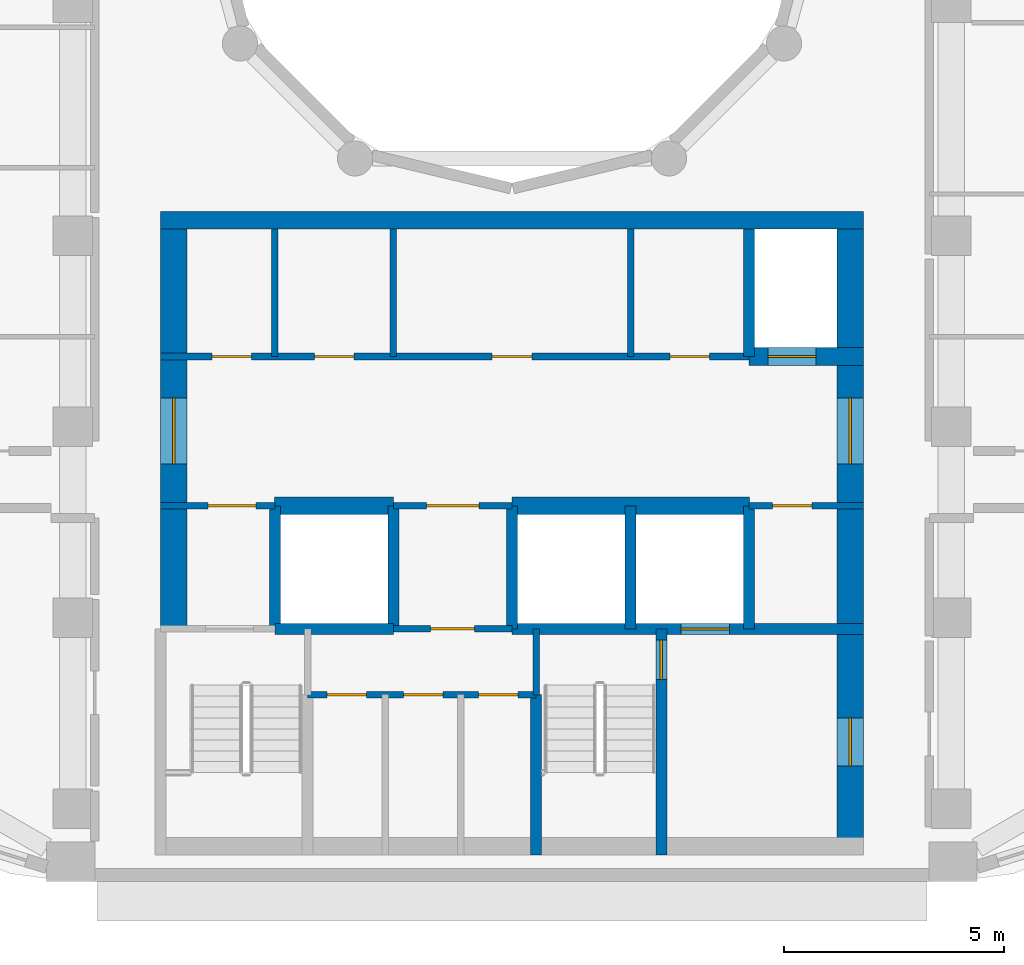
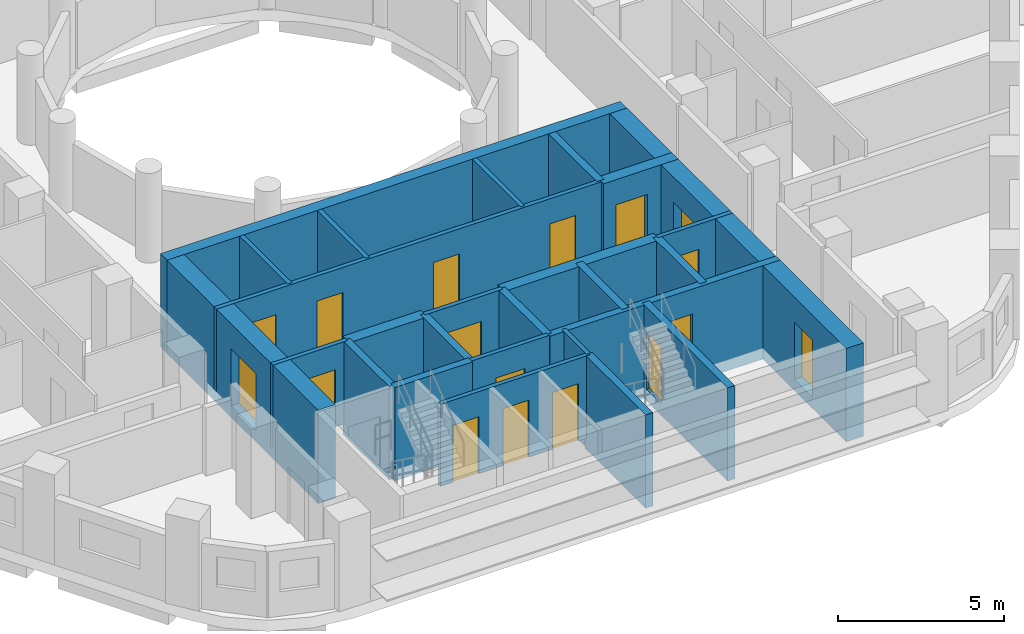
# One storey, part 3 of 16: 26 walls, 17 doors, 17 openings.
"""IFC4 building model written with IfcOpenShell, lengths in metres."""

from ifc_helpers import new_model, si_unit, direction, frame, frame_2d, origin, place, context, subcontext, project, spatial, rectangle, extrude, material, layer, layer_set, type_object, element, fill, save


model = new_model("IFC4")

# Units and contexts
model_context = context("Model", 3, precision=1e-05, world=origin(), true_north=direction((0.0, 1.0)))
body_context = subcontext(model_context, "Body", "Model", "MODEL_VIEW")
ifc_project = project(units=[si_unit("LENGTHUNIT", "METRE"), si_unit("AREAUNIT", "SQUARE_METRE"), si_unit("VOLUMEUNIT", "CUBIC_METRE"), si_unit("PLANEANGLEUNIT", "RADIAN"), si_unit("MASSUNIT", "GRAM", prefix="KILO")], contexts=[model_context])

# Site, building, storey
site_placement = place(None, origin())
site = spatial("IfcSite", under=ifc_project, at=site_placement, CompositionType="ELEMENT")
building_placement = place(site_placement, origin())
building = spatial("IfcBuilding", under=site, at=building_placement, Name="Nakaniwa Court", CompositionType="ELEMENT")
storey_placement = place(building_placement, frame((0.0, 0.0, 226.199951171875)))
storey = spatial("IfcBuildingStorey", under=building, at=storey_placement, Name="L58", CompositionType="ELEMENT", Elevation=226.199951171875)

# Wall
ifc_material_1 = material(Name="Blockwork partition", Category="masonry")
ifc_layer_1 = layer(ifc_material_1, 0.14990234375)
ifc_layer_set_1 = layer_set([ifc_layer_1], Name="Blockwork partition")
wall_type_1 = type_object("IfcWallType", Name="Blockwork partition 150", PredefinedType="PARTITIONING", material=ifc_layer_set_1)
wall_1_placement = place(storey_placement, frame((74.60009765625, 69.300048828125, 0.0), z_axis=(0.0, 0.0, 1.0), x_axis=(0.0, 1.0, 0.0)))
element("IfcWall", 1, at=wall_1_placement, inside=storey, type_object=wall_type_1, Name="Partition PW-032", PredefinedType="PARTITIONING", context=body_context, shape_type="SweptSolid", body=[
    extrude(rectangle(XDim=2.89990234375, YDim=0.14990234375, at=frame_2d((1.449951171875, 0.0))), origin(), (0.0, 0.0, 1.0), 3.025146484375),
])

# Wall, openings, doors
wall_2_placement = place(storey_placement, frame((72.0, 69.300048828125, 0.0), z_axis=(0.0, 0.0, 1.0), x_axis=(1.0, 0.0, 0.0)))
wall_2 = element("IfcWall", 2, at=wall_2_placement, inside=storey, type_object=wall_type_1, Name="Partition PW-033", PredefinedType="PARTITIONING", context=body_context, shape_type="SweptSolid", body=[
    extrude(rectangle(XDim=13.39990234375, YDim=0.14990234375, at=frame_2d((6.699951171875, 0.0))), origin(), (0.0, 0.0, 1.0), 3.025146484375),
])
opening_1_placement = place(wall_2_placement, frame((1.175048828125, 0.0, 0.0)))
opening_1 = element("IfcOpeningElement", 3, at=opening_1_placement, cuts=wall_2, Name="Opening D-05-09", PredefinedType="OPENING", context=body_context, shape_type="SweptSolid", body=[
    extrude(rectangle(XDim=0.89990234375, YDim=2.10009765625, at=frame_2d((0.449951171875, 1.050048828125))), frame((0.0, 0.0849609375, 0.0), z_axis=(0.0, -1.0, 0.0), x_axis=(1.0, 0.0, 0.0)), (0.0, 0.0, 1.0), 0.169921875),
])
opening_2_placement = place(wall_2_placement, frame((3.5, 0.0, 0.0)))
opening_2 = element("IfcOpeningElement", 4, at=opening_2_placement, cuts=wall_2, Name="Opening D-05-10", PredefinedType="OPENING", context=body_context, shape_type="SweptSolid", body=[
    extrude(rectangle(XDim=0.89990234375, YDim=2.10009765625, at=frame_2d((0.449951171875, 1.050048828125))), frame((0.0, 0.0849609375, 0.0), z_axis=(0.0, -1.0, 0.0), x_axis=(1.0, 0.0, 0.0)), (0.0, 0.0, 1.0), 0.169921875),
])
opening_3_placement = place(wall_2_placement, frame((7.550048828125, 0.0, 0.0)))
opening_3 = element("IfcOpeningElement", 5, at=opening_3_placement, cuts=wall_2, Name="Opening D-05-11", PredefinedType="OPENING", context=body_context, shape_type="SweptSolid", body=[
    extrude(rectangle(XDim=0.89990234375, YDim=2.10009765625, at=frame_2d((0.449951171875, 1.050048828125))), frame((0.0, 0.0849609375, 0.0), z_axis=(0.0, -1.0, 0.0), x_axis=(1.0, 0.0, 0.0)), (0.0, 0.0, 1.0), 0.169921875),
])
opening_4_placement = place(wall_2_placement, frame((11.60009765625, 0.0, 0.0)))
opening_4 = element("IfcOpeningElement", 6, at=opening_4_placement, cuts=wall_2, Name="Opening D-05-12", PredefinedType="OPENING", context=body_context, shape_type="SweptSolid", body=[
    extrude(rectangle(XDim=0.89990234375, YDim=2.10009765625, at=frame_2d((0.449951171875, 1.050048828125))), frame((0.0, 0.0849609375, 0.0), z_axis=(0.0, -1.0, 0.0), x_axis=(1.0, 0.0, 0.0)), (0.0, 0.0, 1.0), 0.169921875),
])
ifc_material_2 = material(Name="Fire rated steel door set", Category="steel")
door_type_1 = type_object("IfcDoorType", Name="Service room door 900", OperationType="NOTDEFINED", PredefinedType="DOOR", material=ifc_material_2)
door_1_placement = place(opening_1_placement, origin())
door_1 = element("IfcDoor", 7, at=door_1_placement, inside=storey, type_object=door_type_1, Name="Door D-05-09 L58-014", OperationType="SINGLE_SWING_LEFT", OverallHeight=2.10009765625, OverallWidth=0.89990234375, PredefinedType="DOOR", context=body_context, shape_type="SweptSolid", body=[
    extrude(rectangle(XDim=0.89990234375, YDim=2.10009765625, at=frame_2d((0.449951171875, 1.050048828125))), frame((0.0, 0.02490234375, 0.0), z_axis=(0.0, -1.0, 0.0), x_axis=(1.0, 0.0, 0.0)), (0.0, 0.0, 1.0), 0.050048828125),
])
fill(opening_1, door_1)
door_2_placement = place(opening_2_placement, origin())
door_2 = element("IfcDoor", 8, at=door_2_placement, inside=storey, type_object=door_type_1, Name="Door D-05-10 L58-015", OperationType="SINGLE_SWING_RIGHT", OverallHeight=2.10009765625, OverallWidth=0.89990234375, PredefinedType="DOOR", context=body_context, shape_type="SweptSolid", body=[
    extrude(rectangle(XDim=0.89990234375, YDim=2.10009765625, at=frame_2d((0.449951171875, 1.050048828125))), frame((0.0, 0.02490234375, 0.0), z_axis=(0.0, -1.0, 0.0), x_axis=(1.0, 0.0, 0.0)), (0.0, 0.0, 1.0), 0.050048828125),
])
fill(opening_2, door_2)
door_3_placement = place(opening_3_placement, origin())
door_3 = element("IfcDoor", 9, at=door_3_placement, inside=storey, type_object=door_type_1, Name="Door D-05-11 L58-016", OperationType="SINGLE_SWING_LEFT", OverallHeight=2.10009765625, OverallWidth=0.89990234375, PredefinedType="DOOR", context=body_context, shape_type="SweptSolid", body=[
    extrude(rectangle(XDim=0.89990234375, YDim=2.10009765625, at=frame_2d((0.449951171875, 1.050048828125))), frame((0.0, 0.02490234375, 0.0), z_axis=(0.0, -1.0, 0.0), x_axis=(1.0, 0.0, 0.0)), (0.0, 0.0, 1.0), 0.050048828125),
])
fill(opening_3, door_3)
door_4_placement = place(opening_4_placement, origin())
door_4 = element("IfcDoor", 10, at=door_4_placement, inside=storey, type_object=door_type_1, Name="Door D-05-12 L58-017", OperationType="SINGLE_SWING_RIGHT", OverallHeight=2.10009765625, OverallWidth=0.89990234375, PredefinedType="DOOR", context=body_context, shape_type="SweptSolid", body=[
    extrude(rectangle(XDim=0.89990234375, YDim=2.10009765625, at=frame_2d((0.449951171875, 1.050048828125))), frame((0.0, 0.02490234375, 0.0), z_axis=(0.0, -1.0, 0.0), x_axis=(1.0, 0.0, 0.0)), (0.0, 0.0, 1.0), 0.050048828125),
])
fill(opening_4, door_4)

# Walls
for number, where, z_axis, x_axis, name in (
    (11, (77.300048828125, 69.300048828125, 0.0), (0.0, 0.0, 1.0), (0.0, 1.0, 0.0), "Partition PW-039"),
    (12, (82.699951171875, 69.300048828125, 0.0), (0.0, 0.0, 1.0), (0.0, 1.0, 0.0), "Partition PW-040"),
):
    element("IfcWall", number, at=place(storey_placement, frame(where, z_axis=z_axis, x_axis=x_axis)), inside=storey, type_object=wall_type_1, Name=name, PredefinedType="PARTITIONING", context=body_context, shape_type="SweptSolid", body=[
        extrude(rectangle(XDim=2.89990234375, YDim=0.14990234375, at=frame_2d((1.449951171875, 0.0))), origin(), (0.0, 0.0, 1.0), 3.025146484375),
    ])

# Wall, opening, door
wall_3_placement = place(storey_placement, frame((74.60302734375, 65.89990234375, 0.0), z_axis=(0.0, 0.0, 1.0), x_axis=(-1.0, 0.0, 0.0)))
wall_3 = element("IfcWall", 13, at=wall_3_placement, inside=storey, type_object=wall_type_1, Name="Partition PW-041", PredefinedType="PARTITIONING", context=body_context, shape_type="SweptSolid", body=[
    extrude(rectangle(XDim=2.60302734375, YDim=0.14990234375, at=frame_2d((1.301513671875, 0.0))), origin(), (0.0, 0.0, 1.0), 3.025146484375),
])
opening_5_placement = place(wall_3_placement, frame((0.427978515625, 0.0, 0.0)))
opening_5 = element("IfcOpeningElement", 14, at=opening_5_placement, cuts=wall_3, Name="Opening D-08-02", PredefinedType="OPENING", context=body_context, shape_type="SweptSolid", body=[
    extrude(rectangle(XDim=1.10009765625, YDim=2.10009765625, at=frame_2d((0.550048828125, 1.050048828125))), frame((0.0, 0.0849609375, 0.0), z_axis=(0.0, -1.0, 0.0), x_axis=(1.0, 0.0, 0.0)), (0.0, 0.0, 1.0), 0.169921875),
])
door_type_2 = type_object("IfcDoorType", Name="Stair lobby door 1100", OperationType="NOTDEFINED", PredefinedType="DOOR", material=ifc_material_2)
door_5_placement = place(opening_5_placement, origin())
door_5 = element("IfcDoor", 15, at=door_5_placement, inside=storey, type_object=door_type_2, Name="Door D-08-02 L58-018", OperationType="SINGLE_SWING_LEFT", OverallHeight=2.10009765625, OverallWidth=1.10009765625, PredefinedType="DOOR", context=body_context, shape_type="SweptSolid", body=[
    extrude(rectangle(XDim=1.10009765625, YDim=2.10009765625, at=frame_2d((0.550048828125, 1.050048828125))), frame((0.0, 0.02490234375, 0.0), z_axis=(0.0, -1.0, 0.0), x_axis=(1.0, 0.0, 0.0)), (0.0, 0.0, 1.0), 0.050048828125),
])
fill(opening_5, door_5)

wall_4_placement = place(storey_placement, frame((80.0029296875, 65.89990234375, 0.0), z_axis=(0.0, 0.0, 1.0), x_axis=(-1.0, 0.0, 0.0)))
wall_4 = element("IfcWall", 16, at=wall_4_placement, inside=storey, type_object=wall_type_1, Name="Partition PW-042", PredefinedType="PARTITIONING", context=body_context, shape_type="SweptSolid", body=[
    extrude(rectangle(XDim=2.705810546875, YDim=0.14990234375, at=frame_2d((1.35302734375, 0.0))), origin(), (0.0, 0.0, 1.0), 3.025146484375),
])
opening_6_placement = place(wall_4_placement, frame((0.7529296875, 0.0, 0.0)))
opening_6 = element("IfcOpeningElement", 17, at=opening_6_placement, cuts=wall_4, Name="Opening D-06-02", PredefinedType="OPENING", context=body_context, shape_type="SweptSolid", body=[
    extrude(rectangle(XDim=1.199951171875, YDim=2.10009765625, at=frame_2d((0.60009765625, 1.050048828125))), frame((0.0, 0.0849609375, 0.0), z_axis=(0.0, -1.0, 0.0), x_axis=(1.0, 0.0, 0.0)), (0.0, 0.0, 1.0), 0.169921875),
])
ifc_material_3 = material(Name="Fire rated steel double door set", Category="steel")
door_type_3 = type_object("IfcDoorType", Name="Service passage double door 1200", OperationType="NOTDEFINED", PredefinedType="DOOR", material=ifc_material_3)
door_6_placement = place(opening_6_placement, origin())
door_6 = element("IfcDoor", 18, at=door_6_placement, inside=storey, type_object=door_type_3, Name="Door D-06-02 L58-019", OperationType="DOUBLE_DOOR_SINGLE_SWING", OverallHeight=2.10009765625, OverallWidth=1.199951171875, PredefinedType="DOOR", context=body_context, shape_type="SweptSolid", body=[
    extrude(rectangle(XDim=1.199951171875, YDim=2.10009765625, at=frame_2d((0.60009765625, 1.050048828125))), frame((0.0, 0.02490234375, 0.0), z_axis=(0.0, -1.0, 0.0), x_axis=(1.0, 0.0, 0.0)), (0.0, 0.0, 1.0), 0.050048828125),
])
fill(opening_6, door_6)

wall_5_placement = place(storey_placement, frame((88.0, 65.89990234375, 0.0), z_axis=(0.0, 0.0, 1.0), x_axis=(-1.0, 0.0, 0.0)))
wall_5 = element("IfcWall", 19, at=wall_5_placement, inside=storey, type_object=wall_type_1, Name="Partition PW-043", PredefinedType="PARTITIONING", context=body_context, shape_type="SweptSolid", body=[
    extrude(rectangle(XDim=2.60302734375, YDim=0.14990234375, at=frame_2d((1.301513671875, 0.0))), origin(), (0.0, 0.0, 1.0), 3.025146484375),
])
opening_7_placement = place(wall_5_placement, frame((1.175048828125, 0.0, 0.0)))
opening_7 = element("IfcOpeningElement", 20, at=opening_7_placement, cuts=wall_5, Name="Opening D-05-13", PredefinedType="OPENING", context=body_context, shape_type="SweptSolid", body=[
    extrude(rectangle(XDim=0.89990234375, YDim=2.10009765625, at=frame_2d((0.449951171875, 1.050048828125))), frame((0.0, 0.0849609375, 0.0), z_axis=(0.0, -1.0, 0.0), x_axis=(1.0, 0.0, 0.0)), (0.0, 0.0, 1.0), 0.169921875),
])
door_7_placement = place(opening_7_placement, origin())
door_7 = element("IfcDoor", 21, at=door_7_placement, inside=storey, type_object=door_type_1, Name="Door D-05-13 L58-020", OperationType="SINGLE_SWING_LEFT", OverallHeight=2.10009765625, OverallWidth=0.89990234375, PredefinedType="DOOR", context=body_context, shape_type="SweptSolid", body=[
    extrude(rectangle(XDim=0.89990234375, YDim=2.10009765625, at=frame_2d((0.449951171875, 1.050048828125))), frame((0.0, 0.02490234375, 0.0), z_axis=(0.0, -1.0, 0.0), x_axis=(1.0, 0.0, 0.0)), (0.0, 0.0, 1.0), 0.050048828125),
])
fill(opening_7, door_7)

wall_6_placement = place(storey_placement, frame((80.0, 63.10009765625, 0.0), z_axis=(0.0, 0.0, 1.0), x_axis=(-1.0, 0.0, 0.0)))
wall_6 = element("IfcWall", 22, at=wall_6_placement, inside=storey, type_object=wall_type_1, Name="Partition PW-052", PredefinedType="PARTITIONING", context=body_context, shape_type="SweptSolid", body=[
    extrude(rectangle(XDim=2.699951171875, YDim=0.14990234375, at=frame_2d((1.35009765625, 0.0))), origin(), (0.0, 0.0, 1.0), 3.025146484375),
])
opening_8_placement = place(wall_6_placement, frame((0.85009765625, 0.0, 0.0)))
opening_8 = element("IfcOpeningElement", 23, at=opening_8_placement, cuts=wall_6, Name="Opening D-23-02", PredefinedType="OPENING", context=body_context, shape_type="SweptSolid", body=[
    extrude(rectangle(XDim=1.0, YDim=2.10009765625, at=frame_2d((0.5, 1.050048828125))), frame((0.0, 0.0849609375, 0.0), z_axis=(0.0, -1.0, 0.0), x_axis=(1.0, 0.0, 0.0)), (0.0, 0.0, 1.0), 0.169921875),
])
door_type_4 = type_object("IfcDoorType", Name="Service room door 1000", OperationType="NOTDEFINED", PredefinedType="DOOR", material=ifc_material_2)
door_8_placement = place(opening_8_placement, origin())
door_8 = element("IfcDoor", 24, at=door_8_placement, inside=storey, type_object=door_type_4, Name="Door D-23-02 L58-021", OperationType="SINGLE_SWING_RIGHT", OverallHeight=2.10009765625, OverallWidth=1.0, PredefinedType="DOOR", context=body_context, shape_type="SweptSolid", body=[
    extrude(rectangle(XDim=1.0, YDim=2.10009765625, at=frame_2d((0.5, 1.050048828125))), frame((0.0, 0.02490234375, 0.0), z_axis=(0.0, -1.0, 0.0), x_axis=(1.0, 0.0, 0.0)), (0.0, 0.0, 1.0), 0.050048828125),
])
fill(opening_8, door_8)

# Wall, openings, doors
wall_7_placement = place(storey_placement, frame((80.550048828125, 61.60009765625, 0.0), z_axis=(0.0, 0.0, 1.0), x_axis=(-1.0, 0.0, 0.0)))
wall_7 = element("IfcWall", 25, at=wall_7_placement, inside=storey, type_object=wall_type_1, Name="Partition PW-060", PredefinedType="PARTITIONING", context=body_context, shape_type="SweptSolid", body=[
    extrude(rectangle(XDim=5.199951171875, YDim=0.14990234375, at=frame_2d((2.60009765625, 0.0))), origin(), (0.0, 0.0, 1.0), 3.025146484375),
])
opening_9_placement = place(wall_7_placement, frame((3.865966796875, 0.0, 0.0)))
opening_9 = element("IfcOpeningElement", 26, at=opening_9_placement, cuts=wall_7, Name="Opening D-05-14", PredefinedType="OPENING", context=body_context, shape_type="SweptSolid", body=[
    extrude(rectangle(XDim=0.89990234375, YDim=2.10009765625, at=frame_2d((0.449951171875, 1.050048828125))), frame((0.0, 0.0849609375, 0.0), z_axis=(0.0, -1.0, 0.0), x_axis=(1.0, 0.0, 0.0)), (0.0, 0.0, 1.0), 0.169921875),
])
opening_10_placement = place(wall_7_placement, frame((2.1240234375, 0.0, 0.0)))
opening_10 = element("IfcOpeningElement", 27, at=opening_10_placement, cuts=wall_7, Name="Opening D-05-15", PredefinedType="OPENING", context=body_context, shape_type="SweptSolid", body=[
    extrude(rectangle(XDim=0.89990234375, YDim=2.10009765625, at=frame_2d((0.449951171875, 1.050048828125))), frame((0.0, 0.0849609375, 0.0), z_axis=(0.0, -1.0, 0.0), x_axis=(1.0, 0.0, 0.0)), (0.0, 0.0, 1.0), 0.169921875),
])
opening_11_placement = place(wall_7_placement, frame((0.407958984375, 0.0, 0.0)))
opening_11 = element("IfcOpeningElement", 28, at=opening_11_placement, cuts=wall_7, Name="Opening D-05-16", PredefinedType="OPENING", context=body_context, shape_type="SweptSolid", body=[
    extrude(rectangle(XDim=0.89990234375, YDim=2.10009765625, at=frame_2d((0.449951171875, 1.050048828125))), frame((0.0, 0.0849609375, 0.0), z_axis=(0.0, -1.0, 0.0), x_axis=(1.0, 0.0, 0.0)), (0.0, 0.0, 1.0), 0.169921875),
])
door_9_placement = place(opening_9_placement, origin())
door_9 = element("IfcDoor", 29, at=door_9_placement, inside=storey, type_object=door_type_1, Name="Door D-05-14 L58-022", OperationType="SINGLE_SWING_LEFT", OverallHeight=2.10009765625, OverallWidth=0.89990234375, PredefinedType="DOOR", context=body_context, shape_type="SweptSolid", body=[
    extrude(rectangle(XDim=0.89990234375, YDim=2.10009765625, at=frame_2d((0.449951171875, 1.050048828125))), frame((0.0, 0.02490234375, 0.0), z_axis=(0.0, -1.0, 0.0), x_axis=(1.0, 0.0, 0.0)), (0.0, 0.0, 1.0), 0.050048828125),
])
fill(opening_9, door_9)
door_10_placement = place(opening_10_placement, origin())
door_10 = element("IfcDoor", 30, at=door_10_placement, inside=storey, type_object=door_type_1, Name="Door D-05-15 L58-023", OperationType="SINGLE_SWING_RIGHT", OverallHeight=2.10009765625, OverallWidth=0.89990234375, PredefinedType="DOOR", context=body_context, shape_type="SweptSolid", body=[
    extrude(rectangle(XDim=0.89990234375, YDim=2.10009765625, at=frame_2d((0.449951171875, 1.050048828125))), frame((0.0, 0.02490234375, 0.0), z_axis=(0.0, -1.0, 0.0), x_axis=(1.0, 0.0, 0.0)), (0.0, 0.0, 1.0), 0.050048828125),
])
fill(opening_10, door_10)
door_11_placement = place(opening_11_placement, origin())
door_11 = element("IfcDoor", 31, at=door_11_placement, inside=storey, type_object=door_type_1, Name="Door D-05-16 L58-024", OperationType="SINGLE_SWING_LEFT", OverallHeight=2.10009765625, OverallWidth=0.89990234375, PredefinedType="DOOR", context=body_context, shape_type="SweptSolid", body=[
    extrude(rectangle(XDim=0.89990234375, YDim=2.10009765625, at=frame_2d((0.449951171875, 1.050048828125))), frame((0.0, 0.02490234375, 0.0), z_axis=(0.0, -1.0, 0.0), x_axis=(1.0, 0.0, 0.0)), (0.0, 0.0, 1.0), 0.050048828125),
])
fill(opening_11, door_11)

# Wall, opening, door
ifc_material_4 = material(Name="Concrete C80/100", Category="concrete")
ifc_layer_2 = layer(ifc_material_4, 0.60009765625)
ifc_layer_set_2 = layer_set([ifc_layer_2], Name="Concrete C80/100")
wall_type_2 = type_object("IfcWallType", Name="Concrete core side wall 600 C80", PredefinedType="SHEAR", material=ifc_layer_set_2)
wall_8_placement = place(storey_placement, frame((72.300048828125, 63.10009765625, -0.409912109375), z_axis=(0.0, 0.0, 1.0), x_axis=(0.0, 1.0, 0.0)))
wall_8 = element("IfcWall", 32, at=wall_8_placement, inside=storey, type_object=wall_type_2, Name="Core wall SW-34", PredefinedType="SHEAR", context=body_context, shape_type="SweptSolid", body=[
    extrude(rectangle(XDim=9.099853515625, YDim=0.60009765625, at=frame_2d((4.5498046875, 0.0))), origin(), (0.0, 0.0, 1.0), 3.43505859375),
])
opening_12_placement = place(wall_8_placement, frame((3.75, 0.0, 0.409912109375)))
opening_12 = element("IfcOpeningElement", 33, at=opening_12_placement, cuts=wall_8, Name="Opening D-07-04", PredefinedType="OPENING", context=body_context, shape_type="SweptSolid", body=[
    extrude(rectangle(XDim=1.5, YDim=2.10009765625, at=frame_2d((0.75, 1.050048828125))), frame((0.0, 0.31005859375, 0.0), z_axis=(0.0, -1.0, 0.0), x_axis=(1.0, 0.0, 0.0)), (0.0, 0.0, 1.0), 0.6201171875),
])
ifc_material_5 = material(Name="Glazed fire rated steel double door set", Category="steel")
door_type_5 = type_object("IfcDoorType", Name="Lobby double door 1500", OperationType="NOTDEFINED", PredefinedType="DOOR", material=ifc_material_5)
door_12_placement = place(opening_12_placement, origin())
door_12 = element("IfcDoor", 34, at=door_12_placement, inside=storey, type_object=door_type_5, Name="Door D-07-04 L58-064", OperationType="DOUBLE_DOOR_SINGLE_SWING", OverallHeight=2.10009765625, OverallWidth=1.5, PredefinedType="DOOR", context=body_context, shape_type="SweptSolid", body=[
    extrude(rectangle(XDim=1.5, YDim=2.10009765625, at=frame_2d((0.75, 1.050048828125))), frame((0.0, 0.02490234375, 0.0), z_axis=(0.0, -1.0, 0.0), x_axis=(1.0, 0.0, 0.0)), (0.0, 0.0, 1.0), 0.050048828125),
])
fill(opening_12, door_12)

# Wall, openings, doors
wall_9_placement = place(storey_placement, frame((87.699951171875, 72.199951171875, -0.409912109375), z_axis=(0.0, 0.0, 1.0), x_axis=(0.0, -1.0, 0.0)))
wall_9 = element("IfcWall", 35, at=wall_9_placement, inside=storey, type_object=wall_type_2, Name="Core wall SW-38", PredefinedType="SHEAR", context=body_context, shape_type="SweptSolid", body=[
    extrude(rectangle(XDim=14.25, YDim=0.60009765625, at=frame_2d((7.125, 0.0))), origin(), (0.0, 0.0, 1.0), 3.43505859375),
])
opening_13_placement = place(wall_9_placement, frame((3.85009765625, 0.0, 0.409912109375)))
opening_13 = element("IfcOpeningElement", 36, at=opening_13_placement, cuts=wall_9, Name="Opening D-07-03", PredefinedType="OPENING", context=body_context, shape_type="SweptSolid", body=[
    extrude(rectangle(XDim=1.5, YDim=2.10009765625, at=frame_2d((0.75, 1.050048828125))), frame((0.0, 0.31005859375, 0.0), z_axis=(0.0, -1.0, 0.0), x_axis=(1.0, 0.0, 0.0)), (0.0, 0.0, 1.0), 0.6201171875),
])
opening_14_placement = place(wall_9_placement, frame((11.125, 0.0, 0.409912109375)))
opening_14 = element("IfcOpeningElement", 37, at=opening_14_placement, cuts=wall_9, Name="Opening D-10-02", PredefinedType="OPENING", context=body_context, shape_type="SweptSolid", body=[
    extrude(rectangle(XDim=1.10009765625, YDim=2.10009765625, at=frame_2d((0.550048828125, 1.050048828125))), frame((0.0, 0.31005859375, 0.0), z_axis=(0.0, -1.0, 0.0), x_axis=(1.0, 0.0, 0.0)), (0.0, 0.0, 1.0), 0.6201171875),
])
door_type_6 = type_object("IfcDoorType", Name="Firefighting lobby door 1100", OperationType="NOTDEFINED", PredefinedType="DOOR", material=ifc_material_2)
door_13_placement = place(opening_14_placement, origin())
door_13 = element("IfcDoor", 38, at=door_13_placement, inside=storey, type_object=door_type_6, Name="Door D-10-02 L58-065", OperationType="SINGLE_SWING_RIGHT", OverallHeight=2.10009765625, OverallWidth=1.10009765625, PredefinedType="DOOR", context=body_context, shape_type="SweptSolid", body=[
    extrude(rectangle(XDim=1.10009765625, YDim=2.10009765625, at=frame_2d((0.550048828125, 1.050048828125))), frame((0.0, 0.02490234375, 0.0), z_axis=(0.0, -1.0, 0.0), x_axis=(1.0, 0.0, 0.0)), (0.0, 0.0, 1.0), 0.050048828125),
])
fill(opening_14, door_13)
door_14_placement = place(opening_13_placement, origin())
door_14 = element("IfcDoor", 39, at=door_14_placement, inside=storey, type_object=door_type_5, Name="Door D-07-03 L58-063", OperationType="DOUBLE_DOOR_SINGLE_SWING", OverallHeight=2.10009765625, OverallWidth=1.5, PredefinedType="DOOR", context=body_context, shape_type="SweptSolid", body=[
    extrude(rectangle(XDim=1.5, YDim=2.10009765625, at=frame_2d((0.75, 1.050048828125))), frame((0.0, 0.02490234375, 0.0), z_axis=(0.0, -1.0, 0.0), x_axis=(1.0, 0.0, 0.0)), (0.0, 0.0, 1.0), 0.050048828125),
])
fill(opening_13, door_14)

# Wall, opening, door
ifc_layer_3 = layer(ifc_material_4, 0.39990234375)
ifc_layer_set_3 = layer_set([ifc_layer_3], Name="Concrete C80/100")
wall_type_3 = type_object("IfcWallType", Name="Concrete core spine wall 400 C80", PredefinedType="SHEAR", material=ifc_layer_set_3)
wall_10_placement = place(storey_placement, frame((85.39990234375, 69.300048828125, -0.409912109375), z_axis=(0.0, 0.0, 1.0), x_axis=(1.0, 0.0, 0.0)))
wall_10 = element("IfcWall", 40, at=wall_10_placement, inside=storey, type_object=wall_type_3, Name="Core wall SW-37", PredefinedType="SHEAR", context=body_context, shape_type="SweptSolid", body=[
    extrude(rectangle(XDim=2.60009765625, YDim=0.39990234375, at=frame_2d((1.300048828125, 0.0))), origin(), (0.0, 0.0, 1.0), 3.43505859375),
])
opening_15_placement = place(wall_10_placement, frame((0.425048828125, 0.0, 0.409912109375)))
opening_15 = element("IfcOpeningElement", 41, at=opening_15_placement, cuts=wall_10, Name="Opening LD03", PredefinedType="OPENING", context=body_context, shape_type="SweptSolid", body=[
    extrude(rectangle(XDim=1.10009765625, YDim=2.10009765625, at=frame_2d((0.550048828125, 1.050048828125))), frame((0.0, 0.2099609375, 0.0), z_axis=(0.0, -1.0, 0.0), x_axis=(1.0, 0.0, 0.0)), (0.0, 0.0, 1.0), 0.419921875),
])
ifc_material_6 = material(Name="Stainless steel sliding lift landing door", Category="steel")
door_type_7 = type_object("IfcDoorType", Name="Lift landing door 1100", OperationType="NOTDEFINED", PredefinedType="DOOR", material=ifc_material_6)
door_15_placement = place(opening_15_placement, origin())
door_15 = element("IfcDoor", 42, at=door_15_placement, inside=storey, type_object=door_type_7, Name="Lift landing door LD03 L58-003", OperationType="SLIDING_TO_LEFT", OverallHeight=2.10009765625, OverallWidth=1.10009765625, PredefinedType="DOOR", context=body_context, shape_type="SweptSolid", body=[
    extrude(rectangle(XDim=1.10009765625, YDim=2.10009765625, at=frame_2d((0.550048828125, 1.050048828125))), frame((0.0, 0.02490234375, 0.0), z_axis=(0.0, -1.0, 0.0), x_axis=(1.0, 0.0, 0.0)), (0.0, 0.0, 1.0), 0.050048828125),
])
fill(opening_15, door_15)

# Walls
wall_11_placement = place(storey_placement, frame((74.596923828125, 65.89990234375, -0.409912109375), z_axis=(0.0, 0.0, 1.0), x_axis=(1.0, 0.0, 0.0)))
element("IfcWall", 43, at=wall_11_placement, inside=storey, type_object=wall_type_3, Name="Core wall SW-44", PredefinedType="SHEAR", context=body_context, shape_type="SweptSolid", body=[
    extrude(rectangle(XDim=2.7060546875, YDim=0.39990234375, at=frame_2d((1.35302734375, 0.0))), origin(), (0.0, 0.0, 1.0), 3.43505859375),
])
wall_12_placement = place(storey_placement, frame((79.9970703125, 65.89990234375, -0.409912109375), z_axis=(0.0, 0.0, 1.0), x_axis=(1.0, 0.0, 0.0)))
element("IfcWall", 44, at=wall_12_placement, inside=storey, type_object=wall_type_3, Name="Core wall SW-45", PredefinedType="SHEAR", context=body_context, shape_type="SweptSolid", body=[
    extrude(rectangle(XDim=5.406005859375, YDim=0.39990234375, at=frame_2d((2.703125, 0.0))), origin(), (0.0, 0.0, 1.0), 3.43505859375),
])
ifc_layer_4 = layer(ifc_material_4, 0.14990234375)
ifc_layer_set_4 = layer_set([ifc_layer_4], Name="Concrete C80/100")
wall_type_4 = type_object("IfcWallType", Name="Concrete core wall 150 C80", PredefinedType="SHEAR", material=ifc_layer_set_4)
wall_13_placement = place(storey_placement, frame((80.550048828125, 61.596923828125, -0.409912109375), z_axis=(0.0, 0.0, 1.0), x_axis=(0.0, 1.0, 0.0)))
element("IfcWall", 45, at=wall_13_placement, inside=storey, type_object=wall_type_4, Name="Core wall SW-58", PredefinedType="SHEAR", context=body_context, shape_type="SweptSolid", body=[
    extrude(rectangle(XDim=1.503173828125, YDim=0.14990234375, at=frame_2d((0.75146484375, 0.0))), origin(), (0.0, 0.0, 1.0), 3.43505859375),
])
ifc_layer_5 = layer(ifc_material_4, 0.39990234375)
ifc_layer_set_5 = layer_set([ifc_layer_5], Name="Concrete C80/100")
wall_type_5 = type_object("IfcWallType", Name="Concrete core well wall 400 C80", PredefinedType="SHEAR", material=ifc_layer_set_5)
wall_14_placement = place(storey_placement, frame((72.00390625, 72.39990234375, -0.409912109375), z_axis=(0.0, 0.0, 1.0), x_axis=(1.0, 0.0, 0.0)))
element("IfcWall", 46, at=wall_14_placement, inside=storey, type_object=wall_type_5, Name="Core wall SW-130", PredefinedType="SHEAR", context=body_context, shape_type="SweptSolid", body=[
    extrude(rectangle(XDim=15.9921875, YDim=0.39990234375, at=frame_2d((7.99609375, 0.0))), origin(), (0.0, 0.0, 1.0), 3.43505859375),
])
ifc_layer_6 = layer(ifc_material_4, 0.25)
ifc_layer_set_6 = layer_set([ifc_layer_6], Name="Concrete C80/100")
wall_type_6 = type_object("IfcWallType", Name="Concrete shaft wall 250 C80", PredefinedType="SHEAR", material=ifc_layer_set_6)
wall_15_placement = place(storey_placement, frame((85.39990234375, 63.10009765625, -0.409912109375), z_axis=(0.0, 0.0, 1.0), x_axis=(0.0, 1.0, 0.0)))
element("IfcWall", 47, at=wall_15_placement, inside=storey, type_object=wall_type_6, Name="Core wall SW-35", PredefinedType="SHEAR", context=body_context, shape_type="SweptSolid", body=[
    extrude(rectangle(XDim=2.7998046875, YDim=0.25, at=frame_2d((1.39990234375, 0.0))), origin(), (0.0, 0.0, 1.0), 3.43505859375),
])
wall_16_placement = place(storey_placement, frame((85.39990234375, 69.300048828125, -0.409912109375), z_axis=(0.0, 0.0, 1.0), x_axis=(0.0, 1.0, 0.0)))
element("IfcWall", 48, at=wall_16_placement, inside=storey, type_object=wall_type_6, Name="Core wall SW-36", PredefinedType="SHEAR", context=body_context, shape_type="SweptSolid", body=[
    extrude(rectangle(XDim=2.89990234375, YDim=0.25, at=frame_2d((1.449951171875, 0.0))), origin(), (0.0, 0.0, 1.0), 3.43505859375),
])
for number, where, z_axis, x_axis, name in (
    (49, (74.60009765625, 63.10009765625, -0.409912109375), (0.0, 0.0, 1.0), (0.0, 1.0, 0.0), "Core wall SW-46"),
    (50, (77.300048828125, 63.10009765625, -0.409912109375), (0.0, 0.0, 1.0), (0.0, 1.0, 0.0), "Core wall SW-48"),
):
    element("IfcWall", number, at=place(storey_placement, frame(where, z_axis=z_axis, x_axis=x_axis)), inside=storey, type_object=wall_type_6, Name=name, PredefinedType="SHEAR", context=body_context, shape_type="SweptSolid", body=[
        extrude(rectangle(XDim=2.7998046875, YDim=0.25, at=frame_2d((1.39990234375, 0.0))), origin(), (0.0, 0.0, 1.0), 3.43505859375),
    ])
wall_17_placement = place(storey_placement, frame((74.60009765625, 63.10009765625, -0.409912109375), z_axis=(0.0, 0.0, 1.0), x_axis=(1.0, 0.0, 0.0)))
element("IfcWall", 51, at=wall_17_placement, inside=storey, type_object=wall_type_6, Name="Core wall SW-49", PredefinedType="SHEAR", context=body_context, shape_type="SweptSolid", body=[
    extrude(rectangle(XDim=2.699951171875, YDim=0.25, at=frame_2d((1.35009765625, 0.0))), origin(), (0.0, 0.0, 1.0), 3.43505859375),
])

# Wall, opening, door
wall_18_placement = place(storey_placement, frame((80.0, 63.10009765625, -0.409912109375), z_axis=(0.0, 0.0, 1.0), x_axis=(1.0, 0.0, 0.0)))
wall_18 = element("IfcWall", 52, at=wall_18_placement, inside=storey, type_object=wall_type_6, Name="Core wall SW-50", PredefinedType="SHEAR", context=body_context, shape_type="SweptSolid", body=[
    extrude(rectangle(XDim=8.0, YDim=0.25, at=frame_2d((4.0, 0.0))), origin(), (0.0, 0.0, 1.0), 3.43505859375),
])
opening_16_placement = place(wall_18_placement, frame((3.84912109375, 0.0, 0.409912109375)))
opening_16 = element("IfcOpeningElement", 53, at=opening_16_placement, cuts=wall_18, Name="Opening LD04", PredefinedType="OPENING", context=body_context, shape_type="SweptSolid", body=[
    extrude(rectangle(XDim=1.10009765625, YDim=2.10009765625, at=frame_2d((0.550048828125, 1.050048828125))), frame((0.0, 0.135009765625, 0.0), z_axis=(0.0, -1.0, 0.0), x_axis=(1.0, 0.0, 0.0)), (0.0, 0.0, 1.0), 0.27001953125),
])
door_16_placement = place(opening_16_placement, origin())
door_16 = element("IfcDoor", 54, at=door_16_placement, inside=storey, type_object=door_type_7, Name="Lift landing door LD04 L58-004", OperationType="SLIDING_TO_LEFT", OverallHeight=2.10009765625, OverallWidth=1.10009765625, PredefinedType="DOOR", context=body_context, shape_type="SweptSolid", body=[
    extrude(rectangle(XDim=1.10009765625, YDim=2.10009765625, at=frame_2d((0.550048828125, 1.050048828125))), frame((0.0, 0.02490234375, 0.0), z_axis=(0.0, -1.0, 0.0), x_axis=(1.0, 0.0, 0.0)), (0.0, 0.0, 1.0), 0.050048828125),
])
fill(opening_16, door_16)

# Walls
for number, where, z_axis, x_axis, name in (
    (55, (80.0, 63.10009765625, -0.409912109375), (0.0, 0.0, 1.0), (0.0, 1.0, 0.0), "Core wall SW-51"),
    (56, (82.699951171875, 63.10009765625, -0.409912109375), (0.0, 0.0, 1.0), (0.0, 1.0, 0.0), "Core wall SW-53"),
):
    element("IfcWall", number, at=place(storey_placement, frame(where, z_axis=z_axis, x_axis=x_axis)), inside=storey, type_object=wall_type_6, Name=name, PredefinedType="SHEAR", context=body_context, shape_type="SweptSolid", body=[
        extrude(rectangle(XDim=2.7998046875, YDim=0.25, at=frame_2d((1.39990234375, 0.0))), origin(), (0.0, 0.0, 1.0), 3.43505859375),
    ])

# Wall, opening, door
wall_19_placement = place(storey_placement, frame((83.39990234375, 63.10009765625, -0.409912109375), z_axis=(0.0, 0.0, 1.0), x_axis=(0.0, -1.0, 0.0)))
wall_19 = element("IfcWall", 57, at=wall_19_placement, inside=storey, type_object=wall_type_6, Name="Core wall SW-57", PredefinedType="SHEAR", context=body_context, shape_type="SweptSolid", body=[
    extrude(rectangle(XDim=5.150146484375, YDim=0.25, at=frame_2d((2.5751953125, 0.0))), origin(), (0.0, 0.0, 1.0), 3.43505859375),
])
opening_17_placement = place(wall_19_placement, frame((0.25, 0.0, 0.409912109375)))
opening_17 = element("IfcOpeningElement", 58, at=opening_17_placement, cuts=wall_19, Name="Opening D-11-02", PredefinedType="OPENING", context=body_context, shape_type="SweptSolid", body=[
    extrude(rectangle(XDim=0.89990234375, YDim=2.10009765625, at=frame_2d((0.449951171875, 1.050048828125))), frame((0.0, 0.135009765625, 0.0), z_axis=(0.0, -1.0, 0.0), x_axis=(1.0, 0.0, 0.0)), (0.0, 0.0, 1.0), 0.27001953125),
])
door_type_8 = type_object("IfcDoorType", Name="Stair door 900", OperationType="NOTDEFINED", PredefinedType="DOOR", material=ifc_material_2)
door_17_placement = place(opening_17_placement, origin())
door_17 = element("IfcDoor", 59, at=door_17_placement, inside=storey, type_object=door_type_8, Name="Door D-11-02 L58-026", OperationType="SINGLE_SWING_RIGHT", OverallHeight=2.10009765625, OverallWidth=0.89990234375, PredefinedType="DOOR", context=body_context, shape_type="SweptSolid", body=[
    extrude(rectangle(XDim=0.89990234375, YDim=2.10009765625, at=frame_2d((0.449951171875, 1.050048828125))), frame((0.0, 0.02490234375, 0.0), z_axis=(0.0, -1.0, 0.0), x_axis=(1.0, 0.0, 0.0)), (0.0, 0.0, 1.0), 0.050048828125),
])
fill(opening_17, door_17)

# Wall
wall_20_placement = place(storey_placement, frame((80.550048828125, 57.949951171875, -0.409912109375), z_axis=(0.0, 0.0, 1.0), x_axis=(0.0, 1.0, 0.0)))
element("IfcWall", 60, at=wall_20_placement, inside=storey, type_object=wall_type_6, Name="Core wall SW-59", PredefinedType="SHEAR", context=body_context, shape_type="SweptSolid", body=[
    extrude(rectangle(XDim=3.653076171875, YDim=0.25, at=frame_2d((1.82666015625, 0.0))), origin(), (0.0, 0.0, 1.0), 3.43505859375),
])

save(model, "model.ifc")
